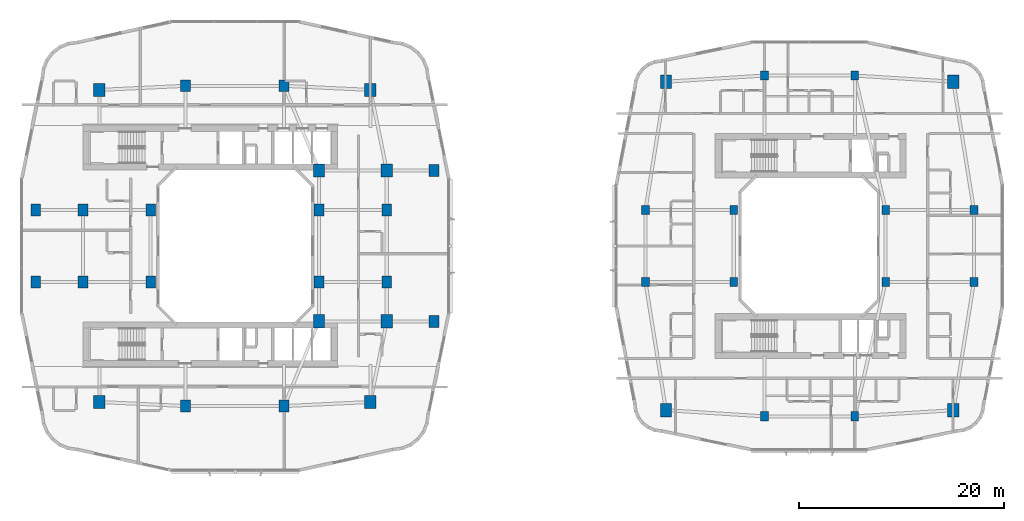
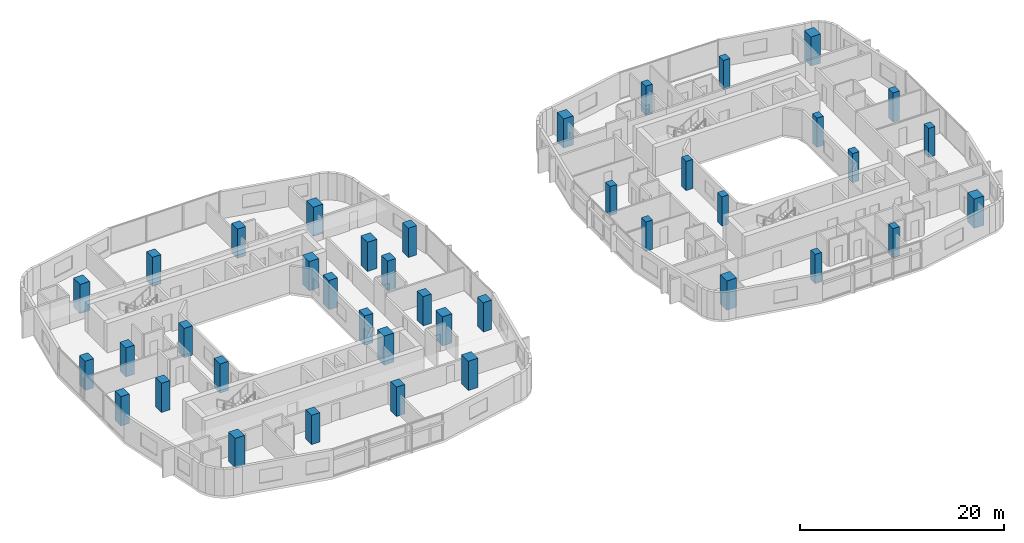
# One storey, part 1 of 26: 40 columns.
"""IFC4 building model written with IfcOpenShell, lengths in metres."""

from ifc_helpers import new_model, si_unit, derived_unit, direction, frame, origin, origin_2d, place, context, subcontext, project, spatial, rectangle, extrude, material, material_profile, profile_set, type_object, element, save


model = new_model("IFC4")

# Units and contexts
model_context = context("Model", 3, precision=1e-05, world=origin(), true_north=direction((0.0, 1.0)))
body_context = subcontext(model_context, "Body", "Model", "MODEL_VIEW")
ifc_project = project(units=[si_unit("LENGTHUNIT", "METRE"), si_unit("AREAUNIT", "SQUARE_METRE"), si_unit("VOLUMEUNIT", "CUBIC_METRE"), si_unit("PLANEANGLEUNIT", "RADIAN"), si_unit("MASSUNIT", "GRAM", prefix="KILO"), derived_unit("THERMALTRANSMITTANCEUNIT", [(si_unit("POWERUNIT", "WATT"), 1), (si_unit("LENGTHUNIT", "METRE"), -2), (si_unit("THERMODYNAMICTEMPERATUREUNIT", "KELVIN"), -1)])], contexts=[model_context])

# Site, building, storey
site_placement = place(None, origin())
site = spatial("IfcSite", under=ifc_project, at=site_placement, CompositionType="ELEMENT")
building_placement = place(site_placement, origin())
building = spatial("IfcBuilding", under=site, at=building_placement, Name="Kivonza Crest Hotel", CompositionType="ELEMENT")
storey_placement = place(building_placement, frame((0.0, 0.0, 45.0)))
storey = spatial("IfcBuildingStorey", under=building, at=storey_placement, Name="L11", CompositionType="ELEMENT", Elevation=45.0)

# Columns
ifc_material_1 = material(Name="Concrete C60/75", Category="concrete")
ifc_material_profile_1 = material_profile(ifc_material_1, rectangle(XDim=0.949951171875, YDim=1.14990234375, at=origin_2d()), Name="RC 1150x950")
ifc_profile_set_1 = profile_set([ifc_material_profile_1], Name="Concrete C60/75")
column_type_1 = type_object("IfcColumnType", Name="CL-RC-1150x950", PredefinedType="COLUMN", material=ifc_profile_set_1)
for number, where, z_axis, x_axis, name in (
    (1, (16.199951171875, 9.39990234375, 0.0), (0.0, 0.0, 1.0), (1.0, 0.0, 0.0), "Tower T1 L11 column S1"),
    (2, (25.800048828125, 9.39990234375, 0.0), (0.0, 0.0, 1.0), (1.0, 0.0, 0.0), "Tower T1 L11 column S2"),
    (3, (16.199951171875, 40.60009765625, 0.0), (0.0, 0.0, 1.0), (1.0, 0.0, 0.0), "Tower T1 L11 column N1"),
    (4, (25.800048828125, 40.60009765625, 0.0), (0.0, 0.0, 1.0), (1.0, 0.0, 0.0), "Tower T1 L11 column N2"),
    (5, (6.199951171875, 21.5, 0.0), (0.0, 0.0, 1.0), (1.0, 0.0, 0.0), "Tower T1 L11 column W1"),
    (6, (6.199951171875, 28.5, 0.0), (0.0, 0.0, 1.0), (1.0, 0.0, 0.0), "Tower T1 L11 column W2"),
    (7, (35.800048828125, 21.5, 0.0), (0.0, 0.0, 1.0), (1.0, 0.0, 0.0), "Tower T1 L11 column E1"),
    (8, (35.800048828125, 28.5, 0.0), (0.0, 0.0, 1.0), (1.0, 0.0, 0.0), "Tower T1 L11 column E2"),
    (9, (12.800048828125, 21.5, 0.0), (0.0, 0.0, 1.0), (1.0, 0.0, 0.0), "Tower T1 L11 column WL1"),
    (10, (12.800048828125, 28.5, 0.0), (0.0, 0.0, 1.0), (1.0, 0.0, 0.0), "Tower T1 L11 column WL2"),
    (11, (29.199951171875, 21.5, 0.0), (0.0, 0.0, 1.0), (1.0, 0.0, 0.0), "Tower T1 L11 column WR1"),
    (12, (29.199951171875, 28.5, 0.0), (0.0, 0.0, 1.0), (1.0, 0.0, 0.0), "Tower T1 L11 column WR2"),
    (13, (1.60009765625, 21.5, 0.0), (0.0, 0.0, 1.0), (1.0, 0.0, 0.0), "Tower T1 L11 column Z1W1"),
    (14, (1.60009765625, 28.5, 0.0), (0.0, 0.0, 1.0), (1.0, 0.0, 0.0), "Tower T1 L11 column Z1W2"),
    (15, (40.39990234375, 17.64990234375, 0.0), (0.0, 0.0, 1.0), (1.0, 0.0, 0.0), "Tower T1 L11 column Z1E1"),
    (16, (40.39990234375, 32.35009765625, 0.0), (0.0, 0.0, 1.0), (1.0, 0.0, 0.0), "Tower T1 L11 column Z1E2"),
):
    element("IfcColumn", number, at=place(storey_placement, frame(where, z_axis=z_axis, x_axis=x_axis)), inside=storey, type_object=column_type_1, Name=name, PredefinedType="COLUMN", context=body_context, shape_type="SweptSolid", body=[
        extrude(rectangle(XDim=0.949951171875, YDim=1.14990234375, at=origin_2d()), origin(), (0.0, 0.0, 1.0), 3.5),
    ])
ifc_material_profile_2 = material_profile(ifc_material_1, rectangle(XDim=1.10009765625, YDim=1.300048828125, at=origin_2d()), Name="RC 1300x1100")
ifc_profile_set_2 = profile_set([ifc_material_profile_2], Name="Concrete C60/75")
column_type_2 = type_object("IfcColumnType", Name="CL-RC-1300x1100", PredefinedType="COLUMN", material=ifc_profile_set_2)
for number, where, z_axis, x_axis, name in (
    (17, (7.800048828125, 9.800048828125, 0.0), (0.0, 0.0, 1.0), (1.0, 0.0, 0.0), "Tower T1 L11 column SW"),
    (18, (34.199951171875, 9.800048828125, 0.0), (0.0, 0.0, 1.0), (1.0, 0.0, 0.0), "Tower T1 L11 column SE"),
    (19, (34.199951171875, 40.199951171875, 0.0), (0.0, 0.0, 1.0), (1.0, 0.0, 0.0), "Tower T1 L11 column NE"),
    (20, (7.800048828125, 40.199951171875, 0.0), (0.0, 0.0, 1.0), (1.0, 0.0, 0.0), "Tower T1 L11 column NW"),
    (21, (35.800048828125, 17.64990234375, 0.0), (0.0, 0.0, 1.0), (1.0, 0.0, 0.0), "Tower T1 L11 column PSE"),
    (22, (35.800048828125, 32.35009765625, 0.0), (0.0, 0.0, 1.0), (1.0, 0.0, 0.0), "Tower T1 L11 column PNE"),
    (23, (29.199951171875, 17.64990234375, 0.0), (0.0, 0.0, 1.0), (1.0, 0.0, 0.0), "Tower T1 L11 column TSE"),
    (24, (29.199951171875, 32.35009765625, 0.0), (0.0, 0.0, 1.0), (1.0, 0.0, 0.0), "Tower T1 L11 column TNE"),
    (25, (63.0, 9.0, 0.0), (0.0, 0.0, 1.0), (1.0, 0.0, 0.0), "Companion Tower T2 L11 column SW"),
    (26, (91.0, 9.0, 0.0), (0.0, 0.0, 1.0), (1.0, 0.0, 0.0), "Companion Tower T2 L11 column SE"),
    (27, (91.0, 41.0, 0.0), (0.0, 0.0, 1.0), (1.0, 0.0, 0.0), "Companion Tower T2 L11 column NE"),
    (28, (63.0, 41.0, 0.0), (0.0, 0.0, 1.0), (1.0, 0.0, 0.0), "Companion Tower T2 L11 column NW"),
):
    element("IfcColumn", number, at=place(storey_placement, frame(where, z_axis=z_axis, x_axis=x_axis)), inside=storey, type_object=column_type_2, Name=name, PredefinedType="COLUMN", context=body_context, shape_type="SweptSolid", body=[
        extrude(rectangle(XDim=1.10009765625, YDim=1.300048828125, at=origin_2d()), origin(), (0.0, 0.0, 1.0), 3.5),
    ])
ifc_material_2 = material(Name="Concrete C50/60", Category="concrete")
ifc_material_profile_3 = material_profile(ifc_material_2, rectangle(XDim=0.75, YDim=0.89990234375, at=origin_2d()), Name="RC 900x750")
ifc_profile_set_3 = profile_set([ifc_material_profile_3], Name="Concrete C50/60")
column_type_3 = type_object("IfcColumnType", Name="CL-RC-900x750", PredefinedType="COLUMN", material=ifc_profile_set_3)
for number, where, z_axis, x_axis, name in (
    (29, (72.60009765625, 8.39990234375, 0.0), (0.0, 0.0, 1.0), (1.0, 0.0, 0.0), "Companion Tower T2 L11 column S1"),
    (30, (81.39990234375, 8.39990234375, 0.0), (0.0, 0.0, 1.0), (1.0, 0.0, 0.0), "Companion Tower T2 L11 column S2"),
    (31, (72.60009765625, 41.60009765625, 0.0), (0.0, 0.0, 1.0), (1.0, 0.0, 0.0), "Companion Tower T2 L11 column N1"),
    (32, (81.39990234375, 41.60009765625, 0.0), (0.0, 0.0, 1.0), (1.0, 0.0, 0.0), "Companion Tower T2 L11 column N2"),
    (33, (61.0, 21.5, 0.0), (0.0, 0.0, 1.0), (1.0, 0.0, 0.0), "Companion Tower T2 L11 column W1"),
    (34, (61.0, 28.5, 0.0), (0.0, 0.0, 1.0), (1.0, 0.0, 0.0), "Companion Tower T2 L11 column W2"),
    (35, (93.0, 21.5, 0.0), (0.0, 0.0, 1.0), (1.0, 0.0, 0.0), "Companion Tower T2 L11 column E1"),
    (36, (93.0, 28.5, 0.0), (0.0, 0.0, 1.0), (1.0, 0.0, 0.0), "Companion Tower T2 L11 column E2"),
    (37, (69.60009765625, 21.5, 0.0), (0.0, 0.0, 1.0), (1.0, 0.0, 0.0), "Companion Tower T2 L11 column WL1"),
    (38, (69.60009765625, 28.5, 0.0), (0.0, 0.0, 1.0), (1.0, 0.0, 0.0), "Companion Tower T2 L11 column WL2"),
    (39, (84.39990234375, 21.5, 0.0), (0.0, 0.0, 1.0), (1.0, 0.0, 0.0), "Companion Tower T2 L11 column WR1"),
    (40, (84.39990234375, 28.5, 0.0), (0.0, 0.0, 1.0), (1.0, 0.0, 0.0), "Companion Tower T2 L11 column WR2"),
):
    element("IfcColumn", number, at=place(storey_placement, frame(where, z_axis=z_axis, x_axis=x_axis)), inside=storey, type_object=column_type_3, Name=name, PredefinedType="COLUMN", context=body_context, shape_type="SweptSolid", body=[
        extrude(rectangle(XDim=0.75, YDim=0.89990234375, at=origin_2d()), origin(), (0.0, 0.0, 1.0), 3.5),
    ])

save(model, "model.ifc")
